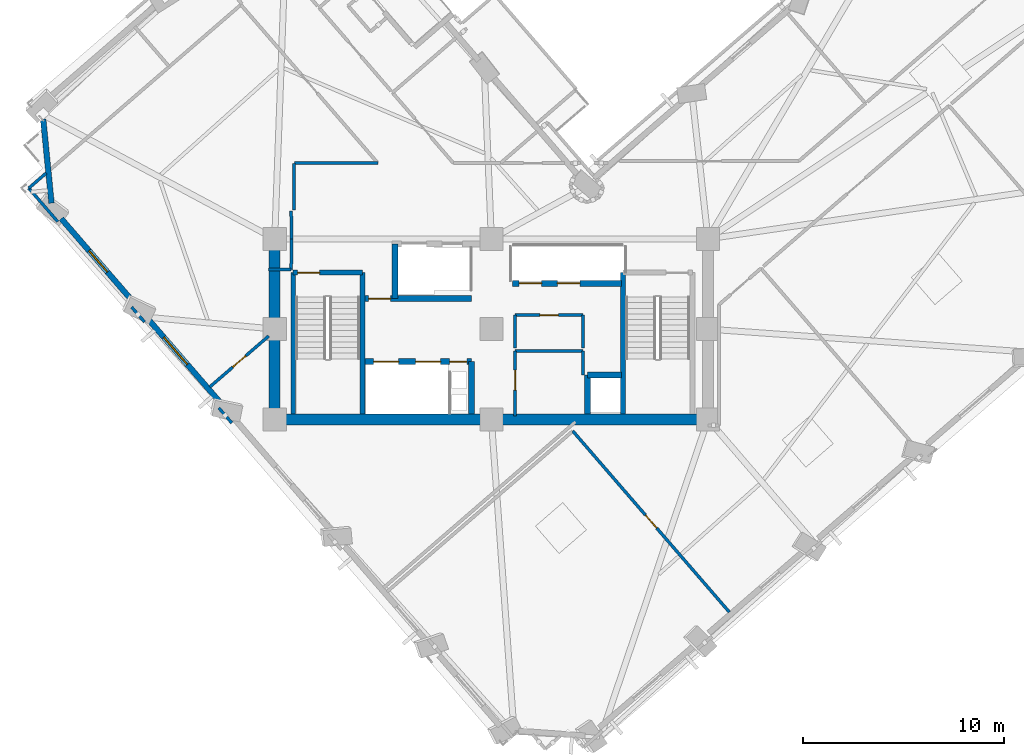
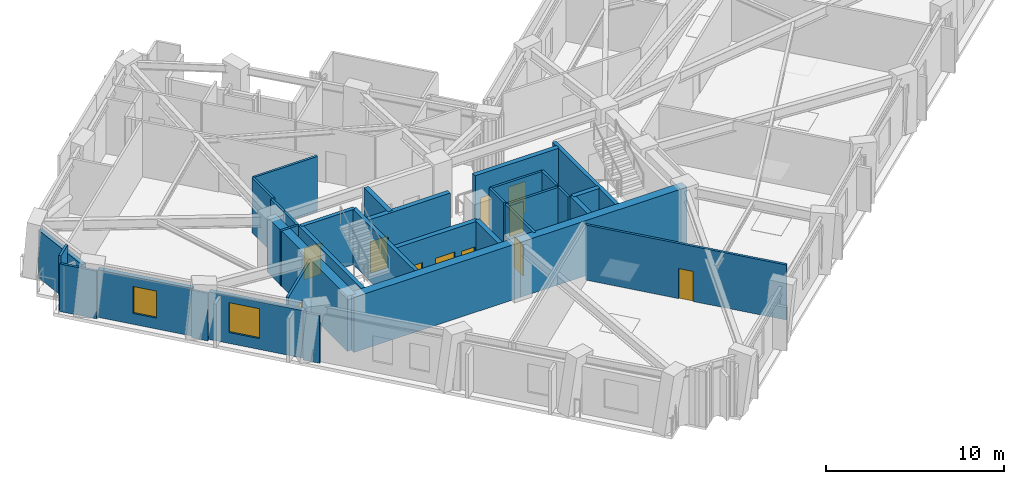
# One storey, part 6 of 14: 34 walls, 11 doors, 2 windows, 13 openings.
"""IFC4 building model written with IfcOpenShell, lengths in metres."""

from ifc_helpers import new_model, si_unit, direction, frame, frame_2d, origin, place, context, subcontext, project, spatial, rectangle, extrude, material, layer, layer_set, type_object, element, fill, save


model = new_model("IFC4")

# Units and contexts
model_context = context("Model", 3, precision=1e-05, world=origin(), true_north=direction((0.0, 1.0)))
body_context = subcontext(model_context, "Body", "Model", "MODEL_VIEW")
ifc_project = project(units=[si_unit("LENGTHUNIT", "METRE"), si_unit("AREAUNIT", "SQUARE_METRE"), si_unit("VOLUMEUNIT", "CUBIC_METRE"), si_unit("PLANEANGLEUNIT", "RADIAN"), si_unit("MASSUNIT", "GRAM", prefix="KILO")], contexts=[model_context])

# Site, building, storey
site_placement = place(None, origin())
site = spatial("IfcSite", under=ifc_project, at=site_placement, CompositionType="ELEMENT")
building_placement = place(site_placement, origin())
building = spatial("IfcBuilding", under=site, at=building_placement, Name="Gaonmaruhae Medical Tower", CompositionType="ELEMENT")
storey_placement = place(building_placement, frame((0.0, 0.0, 197.800048828125)))
storey = spatial("IfcBuildingStorey", under=building, at=storey_placement, Name="L47", CompositionType="ELEMENT", Elevation=197.800048828125)

# Walls
ifc_material_1 = material(Name="Concrete C50/60", Category="concrete")
ifc_layer_1 = layer(ifc_material_1, 0.550048828125)
ifc_layer_set_1 = layer_set([ifc_layer_1], Name="Concrete C50/60")
wall_type_1 = type_object("IfcWallType", Name="CW-550 Mid-High Core Shear Wall", PredefinedType="SHEAR", material=ifc_layer_set_1)
for number, where, z_axis, x_axis, name in (
    (1, (14.0, 7.800048828125, 0.0), (0.0, 0.0, 1.0), (1.0, 0.0, 0.0), "L47 Core Shear Wall CSW-S1"),
    (2, (24.800048828125, 7.800048828125, 0.0), (0.0, 0.0, 1.0), (1.0, 0.0, 0.0), "L47 Core Shear Wall CSW-S2"),
):
    element("IfcWall", number, at=place(storey_placement, frame(where, z_axis=z_axis, x_axis=x_axis)), inside=storey, type_object=wall_type_1, Name=name, PredefinedType="SHEAR", context=body_context, shape_type="SweptSolid", body=[
        extrude(rectangle(XDim=10.800048828125, YDim=0.550048828125, at=frame_2d((5.39990234375, 0.0))), origin(), (0.0, 0.0, 1.0), 3.780029296875),
    ])
wall_1_placement = place(storey_placement, frame((14.0, 16.800048828125, 0.0), z_axis=(0.0, 0.0, 1.0), x_axis=(0.0, -1.0, 0.0)))
element("IfcWall", 3, at=wall_1_placement, inside=storey, type_object=wall_type_1, Name="L47 Core Shear Wall CSW-W1", PredefinedType="SHEAR", context=body_context, shape_type="SweptSolid", body=[
    extrude(rectangle(XDim=9.0, YDim=0.550048828125, at=frame_2d((4.5, 0.0))), origin(), (0.0, 0.0, 1.0), 3.780029296875),
])
ifc_material_2 = material(Name="Precast concrete C45/55", Category="concrete")
ifc_layer_2 = layer(ifc_material_2, 0.280029296875)
ifc_layer_set_2 = layer_set([ifc_layer_2], Name="Precast concrete C45/55")
wall_type_2 = type_object("IfcWallType", Name="EW-280 Upper Precast Masonry-Frame Facade Wall", PredefinedType="SOLIDWALL", material=ifc_layer_set_2)
wall_2_placement = place(storey_placement, frame((2.870849609375, 18.578857421875, 0.0), z_axis=(0.0, 0.0, 1.0), x_axis=(-0.098165990968, 0.995170054924, 0.0)))
element("IfcWall", 4, at=wall_2_placement, inside=storey, type_object=wall_type_2, Name="L47 Precast Masonry-Frame Wall N03-W01", PredefinedType="SOLIDWALL", context=body_context, shape_type="SweptSolid", body=[
    extrude(rectangle(XDim=4.21044921875, YDim=0.280029296875, at=frame_2d((2.105224609375, 0.0))), origin(), (0.0, 0.0, 1.0), 3.264892578125),
])

# Wall, opening, window
wall_3_placement = place(storey_placement, frame((7.038818359375, 13.5498046875, 0.0), z_axis=(0.0, 0.0, 1.0), x_axis=(-0.654061376595, 0.756441481971, 0.0)))
wall_3 = element("IfcWall", 5, at=wall_3_placement, inside=storey, type_object=wall_type_2, Name="L47 Precast Masonry-Frame Wall W01-W02", PredefinedType="SOLIDWALL", context=body_context, shape_type="SweptSolid", body=[
    extrude(rectangle(XDim=5.627685546875, YDim=0.280029296875, at=frame_2d((2.81396484375, 0.0))), origin(), (0.0, 0.0, 1.0), 3.264892578125),
])
opening_1_placement = place(wall_3_placement, frame((2.111083984375, 0.0, 0.75)))
opening_1 = element("IfcOpeningElement", 6, at=opening_1_placement, cuts=wall_3, Name="Opening WN-03", PredefinedType="OPENING", context=body_context, shape_type="SweptSolid", body=[
    extrude(rectangle(XDim=1.39990234375, YDim=1.85009765625, at=frame_2d((0.699951171875, 0.925048828125))), frame((0.0, 0.14990234375, 0.0), z_axis=(0.0, -1.0, 0.0), x_axis=(1.0, 0.0, 0.0)), (0.0, 0.0, 1.0), 0.300048828125),
])
ifc_material_3 = material(Name="Anodised aluminium and Low-E double glazing", Category="aluminium")
window_type_1 = type_object("IfcWindowType", Name="WN-03 Isolation Ward Punched Window 1400x1850", PartitioningType="SINGLE_PANEL", PredefinedType="WINDOW", material=ifc_material_3)
window_1_placement = place(opening_1_placement, origin())
window_1 = element("IfcWindow", 7, at=window_1_placement, inside=storey, type_object=window_type_1, Name="L47 Modular Facade Window W01", OverallHeight=1.85009765625, OverallWidth=1.39990234375, PartitioningType="SINGLE_PANEL", PredefinedType="WINDOW", context=body_context, shape_type="SweptSolid", body=[
    extrude(rectangle(XDim=1.39990234375, YDim=1.85009765625, at=frame_2d((0.699951171875, 0.925048828125))), frame((0.0, 0.030029296875, 0.0), z_axis=(0.0, -1.0, 0.0), x_axis=(1.0, 0.0, 0.0)), (0.0, 0.0, 1.0), 0.06005859375),
])
fill(opening_1, window_1)

wall_4_placement = place(storey_placement, frame((11.38525390625, 8.5234375, 0.0), z_axis=(0.0, 0.0, 1.0), x_axis=(-0.654094597024, 0.756412756466, 0.0)))
wall_4 = element("IfcWall", 8, at=wall_4_placement, inside=storey, type_object=wall_type_2, Name="L47 Precast Masonry-Frame Wall W02-W03", PredefinedType="SOLIDWALL", context=body_context, shape_type="SweptSolid", body=[
    extrude(rectangle(XDim=5.662109375, YDim=0.280029296875, at=frame_2d((2.8310546875, 0.0))), origin(), (0.0, 0.0, 1.0), 3.264892578125),
])
opening_2_placement = place(wall_4_placement, frame((2.65576171875, 0.0, 0.75)))
opening_2 = element("IfcOpeningElement", 9, at=opening_2_placement, cuts=wall_4, Name="Opening WN-04", PredefinedType="OPENING", context=body_context, shape_type="SweptSolid", body=[
    extrude(rectangle(XDim=1.800048828125, YDim=2.050048828125, at=frame_2d((0.89990234375, 1.02490234375))), frame((0.0, 0.14990234375, 0.0), z_axis=(0.0, -1.0, 0.0), x_axis=(1.0, 0.0, 0.0)), (0.0, 0.0, 1.0), 0.300048828125),
])
window_type_2 = type_object("IfcWindowType", Name="WN-04 Clinic & Consult Punched Window 1800x2050", PartitioningType="SINGLE_PANEL", PredefinedType="WINDOW", material=ifc_material_3)
window_2_placement = place(opening_2_placement, origin())
window_2 = element("IfcWindow", 10, at=window_2_placement, inside=storey, type_object=window_type_2, Name="L47 Modular Facade Window W02", OverallHeight=2.050048828125, OverallWidth=1.800048828125, PartitioningType="SINGLE_PANEL", PredefinedType="WINDOW", context=body_context, shape_type="SweptSolid", body=[
    extrude(rectangle(XDim=1.800048828125, YDim=2.050048828125, at=frame_2d((0.89990234375, 1.02490234375))), frame((0.0, 0.030029296875, 0.0), z_axis=(0.0, -1.0, 0.0), x_axis=(1.0, 0.0, 0.0)), (0.0, 0.0, 1.0), 0.06005859375),
])
fill(opening_2, window_2)

# Wall, opening, door
ifc_material_4 = material(Name="Gypsum board partition", Category="gypsum")
ifc_layer_3 = layer(ifc_material_4, 0.14990234375)
ifc_layer_set_3 = layer_set([ifc_layer_3], Name="Gypsum board partition")
wall_type_3 = type_object("IfcWallType", Name="PW-150 Rated Clinical Corridor Partition", PredefinedType="PARTITIONING", material=ifc_layer_set_3)
wall_5_placement = place(storey_placement, frame((25.97998046875, 7.9599609375, 0.0), z_axis=(0.0, 0.0, 1.0), x_axis=(0.0, 1.0, 0.0)))
wall_5 = element("IfcWall", 11, at=wall_5_placement, inside=storey, type_object=wall_type_3, Name="L47 Interior Partition L47-RCL1-1", PredefinedType="PARTITIONING", context=body_context, shape_type="SweptSolid", body=[
    extrude(rectangle(XDim=3.239990234375, YDim=0.14990234375, at=frame_2d((1.6201171875, 0.0))), origin(), (0.0, 0.0, 1.0), 3.780029296875),
])
opening_3_placement = place(wall_5_placement, frame((1.294921875, 0.0, 0.0)))
opening_3 = element("IfcOpeningElement", 12, at=opening_3_placement, cuts=wall_5, Name="Opening CD-01", PredefinedType="OPENING", context=body_context, shape_type="SweptSolid", body=[
    extrude(rectangle(XDim=1.0, YDim=2.1201171875, at=frame_2d((0.5, 1.06005859375))), frame((0.0, 0.0849609375, 0.0), z_axis=(0.0, -1.0, 0.0), x_axis=(1.0, 0.0, 0.0)), (0.0, 0.0, 1.0), 0.169921875),
])
ifc_material_5 = material(Name="Antimicrobial laminate timber fire door", Category="wood")
door_type_1 = type_object("IfcDoorType", Name="CD-01 Consultation & Physician Office Door 1000x2120", OperationType="NOTDEFINED", PredefinedType="DOOR", material=ifc_material_5)
door_1_placement = place(opening_3_placement, origin())
door_1 = element("IfcDoor", 13, at=door_1_placement, inside=storey, type_object=door_type_1, Name="L47 Clinical Telemetry and Medication Room Door", OperationType="SINGLE_SWING_RIGHT", OverallHeight=2.1201171875, OverallWidth=1.0, PredefinedType="DOOR", context=body_context, shape_type="SweptSolid", body=[
    extrude(rectangle(XDim=1.0, YDim=2.1201171875, at=frame_2d((0.5, 1.06005859375))), frame((0.0, 0.02490234375, 0.0), z_axis=(0.0, -1.0, 0.0), x_axis=(1.0, 0.0, 0.0)), (0.0, 0.0, 1.0), 0.050048828125),
])
fill(opening_3, door_1)

# Walls
wall_6_placement = place(storey_placement, frame((25.97998046875, 11.199951171875, 0.0), z_axis=(0.0, 0.0, 1.0), x_axis=(1.0, 0.0, 0.0)))
element("IfcWall", 14, at=wall_6_placement, inside=storey, type_object=wall_type_3, Name="L47 Interior Partition L47-RCL1-2", PredefinedType="PARTITIONING", context=body_context, shape_type="SweptSolid", body=[
    extrude(rectangle(XDim=3.39990234375, YDim=0.14990234375, at=frame_2d((1.699951171875, 0.0))), origin(), (0.0, 0.0, 1.0), 3.780029296875),
])
wall_7_placement = place(storey_placement, frame((29.3798828125, 11.199951171875, 0.0), z_axis=(0.0, 0.0, 1.0), x_axis=(0.0, -1.0, 0.0)))
element("IfcWall", 15, at=wall_7_placement, inside=storey, type_object=wall_type_3, Name="L47 Interior Partition L47-RCL1-3", PredefinedType="PARTITIONING", context=body_context, shape_type="SweptSolid", body=[
    extrude(rectangle(XDim=1.179931640625, YDim=0.14990234375, at=frame_2d((0.58984375, 0.0))), origin(), (0.0, 0.0, 1.0), 3.780029296875),
])
wall_8_placement = place(storey_placement, frame((25.97998046875, 11.360107421875, 0.0), z_axis=(0.0, 0.0, 1.0), x_axis=(0.0, 1.0, 0.0)))
element("IfcWall", 16, at=wall_8_placement, inside=storey, type_object=wall_type_3, Name="L47 Interior Partition L47-CS1-4", PredefinedType="PARTITIONING", context=body_context, shape_type="SweptSolid", body=[
    extrude(rectangle(XDim=1.639892578125, YDim=0.14990234375, at=frame_2d((0.81982421875, 0.0))), origin(), (0.0, 0.0, 1.0), 3.780029296875),
])

# Wall, opening, door
wall_9_placement = place(storey_placement, frame((25.97998046875, 13.0, 0.0), z_axis=(0.0, 0.0, 1.0), x_axis=(1.0, 0.0, 0.0)))
wall_9 = element("IfcWall", 17, at=wall_9_placement, inside=storey, type_object=wall_type_3, Name="L47 Interior Partition L47-CS1-5", PredefinedType="PARTITIONING", context=body_context, shape_type="SweptSolid", body=[
    extrude(rectangle(XDim=3.39990234375, YDim=0.14990234375, at=frame_2d((1.699951171875, 0.0))), origin(), (0.0, 0.0, 1.0), 3.780029296875),
])
opening_4_placement = place(wall_9_placement, frame((1.239990234375, 0.0, 0.0)))
opening_4 = element("IfcOpeningElement", 18, at=opening_4_placement, cuts=wall_9, Name="Opening UD-01", PredefinedType="OPENING", context=body_context, shape_type="SweptSolid", body=[
    extrude(rectangle(XDim=0.919921875, YDim=2.10009765625, at=frame_2d((0.4599609375, 1.050048828125))), frame((0.0, 0.0849609375, 0.0), z_axis=(0.0, -1.0, 0.0), x_axis=(1.0, 0.0, 0.0)), (0.0, 0.0, 1.0), 0.169921875),
])
ifc_material_6 = material(Name="Powder-coated steel utility door", Category="steel")
door_type_2 = type_object("IfcDoorType", Name="UD-01 Toilet, Utility & Housekeeping Door 920x2100", OperationType="NOTDEFINED", PredefinedType="DOOR", material=ifc_material_6)
door_2_placement = place(opening_4_placement, origin())
door_2 = element("IfcDoor", 19, at=door_2_placement, inside=storey, type_object=door_type_2, Name="L47 Accessible Staff Toilet Door", OperationType="SINGLE_SWING_LEFT", OverallHeight=2.10009765625, OverallWidth=0.919921875, PredefinedType="DOOR", context=body_context, shape_type="SweptSolid", body=[
    extrude(rectangle(XDim=0.919921875, YDim=2.10009765625, at=frame_2d((0.4599609375, 1.050048828125))), frame((0.0, 0.02490234375, 0.0), z_axis=(0.0, -1.0, 0.0), x_axis=(1.0, 0.0, 0.0)), (0.0, 0.0, 1.0), 0.050048828125),
])
fill(opening_4, door_2)

# Wall
wall_10_placement = place(storey_placement, frame((29.3798828125, 13.0, 0.0), z_axis=(0.0, 0.0, 1.0), x_axis=(0.0, -1.0, 0.0)))
element("IfcWall", 20, at=wall_10_placement, inside=storey, type_object=wall_type_3, Name="L47 Interior Partition L47-CS1-6", PredefinedType="PARTITIONING", context=body_context, shape_type="SweptSolid", body=[
    extrude(rectangle(XDim=1.639892578125, YDim=0.14990234375, at=frame_2d((0.81982421875, 0.0))), origin(), (0.0, 0.0, 1.0), 3.780029296875),
])

# Wall, opening, door
wall_11_placement = place(storey_placement, frame((28.861083984375, 7.218017578125, 0.0), z_axis=(0.0, 0.0, 1.0), x_axis=(0.654048499955, -0.756452615639, 0.0)))
wall_11 = element("IfcWall", 21, at=wall_11_placement, inside=storey, type_object=wall_type_3, Name="L47 Interior Partition L47-SUP01-11", PredefinedType="PARTITIONING", context=body_context, shape_type="SweptSolid", body=[
    extrude(rectangle(XDim=11.934814453125, YDim=0.14990234375, at=frame_2d((5.96728515625, 0.0))), origin(), (0.0, 0.0, 1.0), 3.780029296875),
])
opening_5_placement = place(wall_11_placement, frame((5.537353515625, 0.0, 0.0)))
opening_5 = element("IfcOpeningElement", 22, at=opening_5_placement, cuts=wall_11, Name="Opening AD-01", PredefinedType="OPENING", context=body_context, shape_type="SweptSolid", body=[
    extrude(rectangle(XDim=0.860107421875, YDim=2.06005859375, at=frame_2d((0.43017578125, 1.030029296875))), frame((0.0, 0.0849609375, 0.0), z_axis=(0.0, -1.0, 0.0), x_axis=(1.0, 0.0, 0.0)), (0.0, 0.0, 1.0), 0.169921875),
])
ifc_material_7 = material(Name="Powder-coated steel access door", Category="steel")
door_type_3 = type_object("IfcDoorType", Name="AD-01 Riser & Closet Access Fire Door 860x2060", OperationType="NOTDEFINED", PredefinedType="DOOR", material=ifc_material_7)
door_3_placement = place(opening_5_placement, origin())
door_3 = element("IfcDoor", 23, at=door_3_placement, inside=storey, type_object=door_type_3, Name="L47 Clinical Biomedical Charting Office Sliding Door", OperationType="SLIDING_TO_LEFT", OverallHeight=2.06005859375, OverallWidth=0.860107421875, PredefinedType="DOOR", context=body_context, shape_type="SweptSolid", body=[
    extrude(rectangle(XDim=0.860107421875, YDim=2.06005859375, at=frame_2d((0.43017578125, 1.030029296875))), frame((0.0, 0.02490234375, 0.0), z_axis=(0.0, -1.0, 0.0), x_axis=(1.0, 0.0, 0.0)), (0.0, 0.0, 1.0), 0.050048828125),
])
fill(opening_5, door_3)

# Wall
wall_12_placement = place(storey_placement, frame((11.860107421875, 7.623046875, 0.0), z_axis=(0.0, 0.0, 1.0), x_axis=(-0.654452520676, 0.756103100232, 0.0)))
element("IfcWall", 24, at=wall_12_placement, inside=storey, type_object=wall_type_3, Name="L47 Interior Partition L47-WOF05-34", PredefinedType="PARTITIONING", context=body_context, shape_type="SweptSolid", body=[
    extrude(rectangle(XDim=0.991943359375, YDim=0.14990234375, at=frame_2d((0.49609375, 0.0))), origin(), (0.0, 0.0, 1.0), 3.264892578125),
])

# Wall, opening, door
wall_13_placement = place(storey_placement, frame((10.764892578125, 9.4169921875, 0.0), z_axis=(0.0, 0.0, 1.0), x_axis=(0.756406921903, 0.65410134421, 0.0)))
wall_13 = element("IfcWall", 25, at=wall_13_placement, inside=storey, type_object=wall_type_3, Name="L47 Interior Partition L47-WOF05-35", PredefinedType="PARTITIONING", context=body_context, shape_type="SweptSolid", body=[
    extrude(rectangle(XDim=3.88037109375, YDim=0.14990234375, at=frame_2d((1.940185546875, 0.0))), origin(), (0.0, 0.0, 1.0), 3.780029296875),
])
opening_6_placement = place(wall_13_placement, frame((1.510009765625, 0.0, 0.0)))
opening_6 = element("IfcOpeningElement", 26, at=opening_6_placement, cuts=wall_13, Name="Opening AD-01", PredefinedType="OPENING", context=body_context, shape_type="SweptSolid", body=[
    extrude(rectangle(XDim=0.860107421875, YDim=2.06005859375, at=frame_2d((0.43017578125, 1.030029296875))), frame((0.0, 0.0849609375, 0.0), z_axis=(0.0, -1.0, 0.0), x_axis=(1.0, 0.0, 0.0)), (0.0, 0.0, 1.0), 0.169921875),
])
door_4_placement = place(opening_6_placement, origin())
door_4 = element("IfcDoor", 27, at=door_4_placement, inside=storey, type_object=door_type_3, Name="L47 Ward Physician Reporting Office Sliding Door", OperationType="SLIDING_TO_LEFT", OverallHeight=2.06005859375, OverallWidth=0.860107421875, PredefinedType="DOOR", context=body_context, shape_type="SweptSolid", body=[
    extrude(rectangle(XDim=0.860107421875, YDim=2.06005859375, at=frame_2d((0.43017578125, 1.030029296875))), frame((0.0, 0.02490234375, 0.0), z_axis=(0.0, -1.0, 0.0), x_axis=(1.0, 0.0, 0.0)), (0.0, 0.0, 1.0), 0.050048828125),
])
fill(opening_6, door_4)

# Walls
wall_14_placement = place(storey_placement, frame((14.969970703125, 20.550048828125, 0.0), z_axis=(0.0, 0.0, 1.0), x_axis=(0.0, -1.0, 0.0)))
element("IfcWall", 28, at=wall_14_placement, inside=storey, type_object=wall_type_3, Name="L47 Interior Partition L47-WOF06-36", PredefinedType="PARTITIONING", context=body_context, shape_type="SweptSolid", body=[
    extrude(rectangle(XDim=2.320068359375, YDim=0.14990234375, at=frame_2d((1.16015625, 0.0))), origin(), (0.0, 0.0, 1.0), 3.780029296875),
])
wall_15_placement = place(storey_placement, frame((14.820068359375, 18.199951171875, 0.0), z_axis=(0.0, 0.0, 1.0), x_axis=(0.01499656939, -0.99988754513, 0.0)))
element("IfcWall", 29, at=wall_15_placement, inside=storey, type_object=wall_type_3, Name="L47 Interior Partition L47-WOF06-37", PredefinedType="PARTITIONING", context=body_context, shape_type="SweptSolid", body=[
    extrude(rectangle(XDim=1.400146484375, YDim=0.14990234375, at=frame_2d((0.7001953125, 0.0))), origin(), (0.0, 0.0, 1.0), 3.780029296875),
])
wall_16_placement = place(storey_placement, frame((14.841064453125, 16.800048828125, 0.0), z_axis=(0.0, 0.0, 1.0), x_axis=(-0.01363221443, -0.999907077048, 0.0)))
element("IfcWall", 30, at=wall_16_placement, inside=storey, type_object=wall_type_3, Name="L47 Interior Partition L47-WOF06-38", PredefinedType="PARTITIONING", context=body_context, shape_type="SweptSolid", body=[
    extrude(rectangle(XDim=1.540283203125, YDim=0.14990234375, at=frame_2d((0.77001953125, 0.0))), origin(), (0.0, 0.0, 1.0), 3.780029296875),
])
wall_17_placement = place(storey_placement, frame((14.820068359375, 15.260009765625, 0.0), z_axis=(0.0, 0.0, 1.0), x_axis=(-1.0, 0.0, 0.0)))
element("IfcWall", 31, at=wall_17_placement, inside=storey, type_object=wall_type_3, Name="L47 Interior Partition L47-WOF06-39", PredefinedType="PARTITIONING", context=body_context, shape_type="SweptSolid", body=[
    extrude(rectangle(XDim=1.1201171875, YDim=0.14990234375, at=frame_2d((0.56005859375, 0.0))), origin(), (0.0, 0.0, 1.0), 3.780029296875),
])
wall_18_placement = place(storey_placement, frame((7.508056640625, 12.656005859375, 0.0), z_axis=(0.0, 0.0, 1.0), x_axis=(-0.65446690103, 0.756090652936, 0.0)))
element("IfcWall", 32, at=wall_18_placement, inside=storey, type_object=wall_type_3, Name="L47 Interior Partition L47-WOF06-40", PredefinedType="PARTITIONING", context=body_context, shape_type="SweptSolid", body=[
    extrude(rectangle(XDim=0.982666015625, YDim=0.14990234375, at=frame_2d((0.4912109375, 0.0))), origin(), (0.0, 0.0, 1.0), 3.264892578125),
])
wall_19_placement = place(storey_placement, frame((3.18408203125, 17.656005859375, 0.0), z_axis=(0.0, 0.0, 1.0), x_axis=(-0.654143389039, 0.75637056168, 0.0)))
element("IfcWall", 33, at=wall_19_placement, inside=storey, type_object=wall_type_3, Name="L47 Interior Partition L47-WOF06-41", PredefinedType="PARTITIONING", context=body_context, shape_type="SweptSolid", body=[
    extrude(rectangle(XDim=2.208984375, YDim=0.14990234375, at=frame_2d((1.1044921875, 0.0))), origin(), (0.0, 0.0, 1.0), 3.264892578125),
])
wall_20_placement = place(storey_placement, frame((1.739013671875, 19.326904296875, 0.0), z_axis=(0.0, 0.0, 1.0), x_axis=(0.756215236677, 0.65432294459, 0.0)))
element("IfcWall", 34, at=wall_20_placement, inside=storey, type_object=wall_type_3, Name="L47 Interior Partition L47-WOF06-42", PredefinedType="PARTITIONING", context=body_context, shape_type="SweptSolid", body=[
    extrude(rectangle(XDim=1.147705078125, YDim=0.14990234375, at=frame_2d((0.57373046875, 0.0))), origin(), (0.0, 0.0, 1.0), 3.780029296875),
])
wall_21_placement = place(storey_placement, frame((19.137939453125, 20.580078125, 0.0), z_axis=(0.0, 0.0, 1.0), x_axis=(-1.0, 0.0, 0.0)))
element("IfcWall", 35, at=wall_21_placement, inside=storey, type_object=wall_type_3, Name="L47 Interior Partition L47-WOF06-45", PredefinedType="PARTITIONING", context=body_context, shape_type="SweptSolid", body=[
    extrude(rectangle(XDim=4.140869140625, YDim=0.14990234375, at=frame_2d((2.0703125, 0.0))), origin(), (0.0, 0.0, 1.0), 3.780029296875),
])

# Wall, opening, door
ifc_layer_4 = layer(ifc_material_1, 0.239990234375)
ifc_layer_set_4 = layer_set([ifc_layer_4], Name="Concrete C50/60")
wall_type_4 = type_object("IfcWallType", Name="SW-240 Dogleg Stair Tight Shaft Wall", PredefinedType="SOLIDWALL", material=ifc_layer_set_4)
wall_22_placement = place(storey_placement, frame((14.919921875, 15.1201171875, 0.0), z_axis=(0.0, 0.0, 1.0), x_axis=(1.0, 0.0, 0.0)))
wall_22 = element("IfcWall", 36, at=wall_22_placement, inside=storey, type_object=wall_type_4, Name="L47 ST-01 Stair Shaft Wall SHW-ST-01-N", PredefinedType="SOLIDWALL", context=body_context, shape_type="SweptSolid", body=[
    extrude(rectangle(XDim=3.4599609375, YDim=0.239990234375, at=frame_2d((1.72998046875, 0.0))), origin(), (0.0, 0.0, 1.0), 3.780029296875),
])
opening_7_placement = place(wall_22_placement, frame((0.219970703125, 0.0, 0.0)))
opening_7 = element("IfcOpeningElement", 37, at=opening_7_placement, cuts=wall_22, Name="Opening FD-01", PredefinedType="OPENING", context=body_context, shape_type="SweptSolid", body=[
    extrude(rectangle(XDim=1.10009765625, YDim=2.14990234375, at=frame_2d((0.550048828125, 1.074951171875))), frame((0.0, 0.1298828125, 0.0), z_axis=(0.0, -1.0, 0.0), x_axis=(1.0, 0.0, 0.0)), (0.0, 0.0, 1.0), 0.260009765625),
])
ifc_material_8 = material(Name="Powder-coated steel fire door", Category="steel")
door_type_4 = type_object("IfcDoorType", Name="FD-01 Escape Stair Protected Fire Door 1100x2150", OperationType="NOTDEFINED", PredefinedType="DOOR", material=ifc_material_8)
door_5_placement = place(opening_7_placement, origin())
door_5 = element("IfcDoor", 38, at=door_5_placement, inside=storey, type_object=door_type_4, Name="L47 ST-01 Protected Escape Stair Door", OperationType="SINGLE_SWING_RIGHT", OverallHeight=2.14990234375, OverallWidth=1.10009765625, PredefinedType="DOOR", context=body_context, shape_type="SweptSolid", body=[
    extrude(rectangle(XDim=1.10009765625, YDim=2.14990234375, at=frame_2d((0.550048828125, 1.074951171875))), frame((0.0, 0.02490234375, 0.0), z_axis=(0.0, -1.0, 0.0), x_axis=(1.0, 0.0, 0.0)), (0.0, 0.0, 1.0), 0.050048828125),
])
fill(opening_7, door_5)

# Walls
for number, where, z_axis, x_axis, name in (
    (39, (18.3798828125, 15.1201171875, 0.0), (0.0, 0.0, 1.0), (0.0, -1.0, 0.0), "L47 ST-01 Stair Shaft Wall SHW-ST-01-E"),
    (40, (14.919921875, 8.074951171875, 0.0), (0.0, 0.0, 1.0), (0.0, 1.0, 0.0), "L47 ST-01 Stair Shaft Wall SHW-ST-01-W"),
    (41, (31.3701171875, 8.074951171875, 0.0), (0.0, 0.0, 1.0), (0.0, 1.0, 0.0), "L47 ST-02 Stair Shaft Wall SHW-ST-02-W"),
):
    element("IfcWall", number, at=place(storey_placement, frame(where, z_axis=z_axis, x_axis=x_axis)), inside=storey, type_object=wall_type_4, Name=name, PredefinedType="SOLIDWALL", context=body_context, shape_type="SweptSolid", body=[
        extrude(rectangle(XDim=7.045166015625, YDim=0.239990234375, at=frame_2d((3.5224609375, 0.0))), origin(), (0.0, 0.0, 1.0), 3.780029296875),
    ])

# Wall, openings, doors
ifc_layer_5 = layer(ifc_material_1, 0.300048828125)
ifc_layer_set_5 = layer_set([ifc_layer_5], Name="Concrete C50/60")
wall_type_5 = type_object("IfcWallType", Name="SW-300 Stair & Lift Hoistway Shaft Wall", PredefinedType="SOLIDWALL", material=ifc_layer_set_5)
wall_23_placement = place(storey_placement, frame((18.5, 10.679931640625, 0.0), z_axis=(0.0, 0.0, 1.0), x_axis=(1.0, 0.0, 0.0)))
wall_23 = element("IfcWall", 42, at=wall_23_placement, inside=storey, type_object=wall_type_5, Name="L47 Shaft Enclosure Wall SHW-FFN", PredefinedType="SOLIDWALL", context=body_context, shape_type="SweptSolid", body=[
    extrude(rectangle(XDim=5.300048828125, YDim=0.300048828125, at=frame_2d((2.64990234375, 0.0))), origin(), (0.0, 0.0, 1.0), 3.780029296875),
])
opening_8_placement = place(wall_23_placement, frame((4.219970703125, 0.0, 0.0)))
opening_8 = element("IfcOpeningElement", 43, at=opening_8_placement, cuts=wall_23, Name="Opening AD-01", PredefinedType="OPENING", context=body_context, shape_type="SweptSolid", body=[
    extrude(rectangle(XDim=0.860107421875, YDim=2.06005859375, at=frame_2d((0.43017578125, 1.030029296875))), frame((0.0, 0.16015625, 0.0), z_axis=(0.0, -1.0, 0.0), x_axis=(1.0, 0.0, 0.0)), (0.0, 0.0, 1.0), 0.320068359375),
])
opening_9_placement = place(wall_23_placement, frame((0.425048828125, 0.0, 0.0)))
opening_9 = element("IfcOpeningElement", 44, at=opening_9_placement, cuts=wall_23, Name="Opening LD-F1", PredefinedType="OPENING", context=body_context, shape_type="SweptSolid", body=[
    extrude(rectangle(XDim=1.25, YDim=2.179931640625, at=frame_2d((0.625, 1.08984375))), frame((0.0, 0.16015625, 0.0), z_axis=(0.0, -1.0, 0.0), x_axis=(1.0, 0.0, 0.0)), (0.0, 0.0, 1.0), 0.320068359375),
])
opening_10_placement = place(wall_23_placement, frame((2.52490234375, 0.0, 0.0)))
opening_10 = element("IfcOpeningElement", 45, at=opening_10_placement, cuts=wall_23, Name="Opening LD-F1", PredefinedType="OPENING", context=body_context, shape_type="SweptSolid", body=[
    extrude(rectangle(XDim=1.25, YDim=2.179931640625, at=frame_2d((0.625, 1.08984375))), frame((0.0, 0.16015625, 0.0), z_axis=(0.0, -1.0, 0.0), x_axis=(1.0, 0.0, 0.0)), (0.0, 0.0, 1.0), 0.320068359375),
])
door_6_placement = place(opening_8_placement, origin())
door_6 = element("IfcDoor", 46, at=door_6_placement, inside=storey, type_object=door_type_3, Name="L47 Medical Gas and MEP Riser Access Door", OperationType="SINGLE_SWING_RIGHT", OverallHeight=2.06005859375, OverallWidth=0.860107421875, PredefinedType="DOOR", context=body_context, shape_type="SweptSolid", body=[
    extrude(rectangle(XDim=0.860107421875, YDim=2.06005859375, at=frame_2d((0.43017578125, 1.030029296875))), frame((0.0, 0.02490234375, 0.0), z_axis=(0.0, -1.0, 0.0), x_axis=(1.0, 0.0, 0.0)), (0.0, 0.0, 1.0), 0.050048828125),
])
fill(opening_8, door_6)
ifc_material_9 = material(Name="Brushed stainless steel 316L landing door", Category="steel")
door_type_5 = type_object("IfcDoorType", Name="LD-F1 Firefighting & Bed Lift Sliding Landing Door 1250x2180", OperationType="NOTDEFINED", PredefinedType="DOOR", material=ifc_material_9)
door_7_placement = place(opening_9_placement, origin())
door_7 = element("IfcDoor", 47, at=door_7_placement, inside=storey, type_object=door_type_5, Name="L47 Firefighting Lift Landing Door FFL-01", OperationType="DOUBLE_DOOR_SLIDING", OverallHeight=2.179931640625, OverallWidth=1.25, PredefinedType="DOOR", context=body_context, shape_type="SweptSolid", body=[
    extrude(rectangle(XDim=1.25, YDim=2.179931640625, at=frame_2d((0.625, 1.08984375))), frame((0.0, 0.02490234375, 0.0), z_axis=(0.0, -1.0, 0.0), x_axis=(1.0, 0.0, 0.0)), (0.0, 0.0, 1.0), 0.050048828125),
])
fill(opening_9, door_7)
door_8_placement = place(opening_10_placement, origin())
door_8 = element("IfcDoor", 48, at=door_8_placement, inside=storey, type_object=door_type_5, Name="L47 Firefighting Lift Landing Door FFL-02", OperationType="DOUBLE_DOOR_SLIDING", OverallHeight=2.179931640625, OverallWidth=1.25, PredefinedType="DOOR", context=body_context, shape_type="SweptSolid", body=[
    extrude(rectangle(XDim=1.25, YDim=2.179931640625, at=frame_2d((0.625, 1.08984375))), frame((0.0, 0.02490234375, 0.0), z_axis=(0.0, -1.0, 0.0), x_axis=(1.0, 0.0, 0.0)), (0.0, 0.0, 1.0), 0.050048828125),
])
fill(opening_10, door_8)

# Wall, opening, door
wall_24_placement = place(storey_placement, frame((18.5, 13.820068359375, 0.0), z_axis=(0.0, 0.0, 1.0), x_axis=(1.0, 0.0, 0.0)))
wall_24 = element("IfcWall", 49, at=wall_24_placement, inside=storey, type_object=wall_type_5, Name="L47 Shaft Enclosure Wall SHW-FFL", PredefinedType="SOLIDWALL", context=body_context, shape_type="SweptSolid", body=[
    extrude(rectangle(XDim=5.300048828125, YDim=0.300048828125, at=frame_2d((2.64990234375, 0.0))), origin(), (0.0, 0.0, 1.0), 3.780029296875),
])
opening_11_placement = place(wall_24_placement, frame((0.179931640625, 0.0, 0.0)))
opening_11 = element("IfcOpeningElement", 50, at=opening_11_placement, cuts=wall_24, Name="Opening FD-01", PredefinedType="OPENING", context=body_context, shape_type="SweptSolid", body=[
    extrude(rectangle(XDim=1.10009765625, YDim=2.14990234375, at=frame_2d((0.550048828125, 1.074951171875))), frame((0.0, 0.16015625, 0.0), z_axis=(0.0, -1.0, 0.0), x_axis=(1.0, 0.0, 0.0)), (0.0, 0.0, 1.0), 0.320068359375),
])
door_9_placement = place(opening_11_placement, origin())
door_9 = element("IfcDoor", 51, at=door_9_placement, inside=storey, type_object=door_type_4, Name="L47 Firefighting Lobby Smoke Door", OperationType="SINGLE_SWING_LEFT", OverallHeight=2.14990234375, OverallWidth=1.10009765625, PredefinedType="DOOR", context=body_context, shape_type="SweptSolid", body=[
    extrude(rectangle(XDim=1.10009765625, YDim=2.14990234375, at=frame_2d((0.550048828125, 1.074951171875))), frame((0.0, 0.02490234375, 0.0), z_axis=(0.0, -1.0, 0.0), x_axis=(1.0, 0.0, 0.0)), (0.0, 0.0, 1.0), 0.050048828125),
])
fill(opening_11, door_9)

# Walls
wall_25_placement = place(storey_placement, frame((23.800048828125, 8.074951171875, 0.0), z_axis=(0.0, 0.0, 1.0), x_axis=(0.0, 1.0, 0.0)))
element("IfcWall", 52, at=wall_25_placement, inside=storey, type_object=wall_type_5, Name="L47 Shaft Enclosure Wall SHW-FFE", PredefinedType="SOLIDWALL", context=body_context, shape_type="SweptSolid", body=[
    extrude(rectangle(XDim=2.60498046875, YDim=0.300048828125, at=frame_2d((1.302490234375, 0.0))), origin(), (0.0, 0.0, 1.0), 3.780029296875),
])
wall_26_placement = place(storey_placement, frame((20.0, 13.820068359375, 0.0), z_axis=(0.0, 0.0, 1.0), x_axis=(0.0, 1.0, 0.0)))
element("IfcWall", 53, at=wall_26_placement, inside=storey, type_object=wall_type_5, Name="L47 Shaft Enclosure Wall SHW-BDW", PredefinedType="SOLIDWALL", context=body_context, shape_type="SweptSolid", body=[
    extrude(rectangle(XDim=2.72998046875, YDim=0.300048828125, at=frame_2d((1.364990234375, 0.0))), origin(), (0.0, 0.0, 1.0), 3.780029296875),
])
wall_27_placement = place(storey_placement, frame((29.60009765625, 10.02001953125, 0.0), z_axis=(0.0, 0.0, 1.0), x_axis=(1.0, 0.0, 0.0)))
element("IfcWall", 54, at=wall_27_placement, inside=storey, type_object=wall_type_5, Name="L47 Shaft Enclosure Wall SHW-PLS", PredefinedType="SOLIDWALL", context=body_context, shape_type="SweptSolid", body=[
    extrude(rectangle(XDim=1.699951171875, YDim=0.300048828125, at=frame_2d((0.85009765625, 0.0))), origin(), (0.0, 0.0, 1.0), 3.780029296875),
])
wall_28_placement = place(storey_placement, frame((29.60009765625, 8.074951171875, 0.0), z_axis=(0.0, 0.0, 1.0), x_axis=(0.0, 1.0, 0.0)))
element("IfcWall", 55, at=wall_28_placement, inside=storey, type_object=wall_type_5, Name="L47 Shaft Enclosure Wall SHW-PLD1", PredefinedType="SOLIDWALL", context=body_context, shape_type="SweptSolid", body=[
    extrude(rectangle(XDim=1.945068359375, YDim=0.300048828125, at=frame_2d((0.97265625, 0.0))), origin(), (0.0, 0.0, 1.0), 3.780029296875),
])

# Wall, openings, doors
wall_29_placement = place(storey_placement, frame((25.85009765625, 14.580078125, 0.0), z_axis=(0.0, 0.0, 1.0), x_axis=(1.0, 0.0, 0.0)))
wall_29 = element("IfcWall", 56, at=wall_29_placement, inside=storey, type_object=wall_type_5, Name="L47 Shaft Enclosure Wall SHW-PLN", PredefinedType="SOLIDWALL", context=body_context, shape_type="SweptSolid", body=[
    extrude(rectangle(XDim=5.449951171875, YDim=0.300048828125, at=frame_2d((2.72509765625, 0.0))), origin(), (0.0, 0.0, 1.0), 3.780029296875),
])
opening_12_placement = place(wall_29_placement, frame((0.340087890625, 0.0, 0.0)))
opening_12 = element("IfcOpeningElement", 57, at=opening_12_placement, cuts=wall_29, Name="Opening LD-P1", PredefinedType="OPENING", context=body_context, shape_type="SweptSolid", body=[
    extrude(rectangle(XDim=1.1201171875, YDim=2.14990234375, at=frame_2d((0.56005859375, 1.074951171875))), frame((0.0, 0.16015625, 0.0), z_axis=(0.0, -1.0, 0.0), x_axis=(1.0, 0.0, 0.0)), (0.0, 0.0, 1.0), 0.320068359375),
])
opening_13_placement = place(wall_29_placement, frame((2.239990234375, 0.0, 0.0)))
opening_13 = element("IfcOpeningElement", 58, at=opening_13_placement, cuts=wall_29, Name="Opening LD-P1", PredefinedType="OPENING", context=body_context, shape_type="SweptSolid", body=[
    extrude(rectangle(XDim=1.1201171875, YDim=2.14990234375, at=frame_2d((0.56005859375, 1.074951171875))), frame((0.0, 0.16015625, 0.0), z_axis=(0.0, -1.0, 0.0), x_axis=(1.0, 0.0, 0.0)), (0.0, 0.0, 1.0), 0.320068359375),
])
ifc_material_10 = material(Name="Brushed stainless steel 304 landing door", Category="steel")
door_type_6 = type_object("IfcDoorType", Name="LD-P1 Passenger Lift Sliding Landing Door 1120x2150", OperationType="NOTDEFINED", PredefinedType="DOOR", material=ifc_material_10)
door_10_placement = place(opening_12_placement, origin())
door_10 = element("IfcDoor", 59, at=door_10_placement, inside=storey, type_object=door_type_6, Name="L47 Passenger Lift Landing Door PL-M1", OperationType="DOUBLE_DOOR_SLIDING", OverallHeight=2.14990234375, OverallWidth=1.1201171875, PredefinedType="DOOR", context=body_context, shape_type="SweptSolid", body=[
    extrude(rectangle(XDim=1.1201171875, YDim=2.14990234375, at=frame_2d((0.56005859375, 1.074951171875))), frame((0.0, 0.02490234375, 0.0), z_axis=(0.0, -1.0, 0.0), x_axis=(1.0, 0.0, 0.0)), (0.0, 0.0, 1.0), 0.050048828125),
])
fill(opening_12, door_10)
door_11_placement = place(opening_13_placement, origin())
door_11 = element("IfcDoor", 60, at=door_11_placement, inside=storey, type_object=door_type_6, Name="L47 Passenger Lift Landing Door PL-M2", OperationType="DOUBLE_DOOR_SLIDING", OverallHeight=2.14990234375, OverallWidth=1.1201171875, PredefinedType="DOOR", context=body_context, shape_type="SweptSolid", body=[
    extrude(rectangle(XDim=1.1201171875, YDim=2.14990234375, at=frame_2d((0.56005859375, 1.074951171875))), frame((0.0, 0.02490234375, 0.0), z_axis=(0.0, -1.0, 0.0), x_axis=(1.0, 0.0, 0.0)), (0.0, 0.0, 1.0), 0.050048828125),
])
fill(opening_13, door_11)

save(model, "model.ifc")
